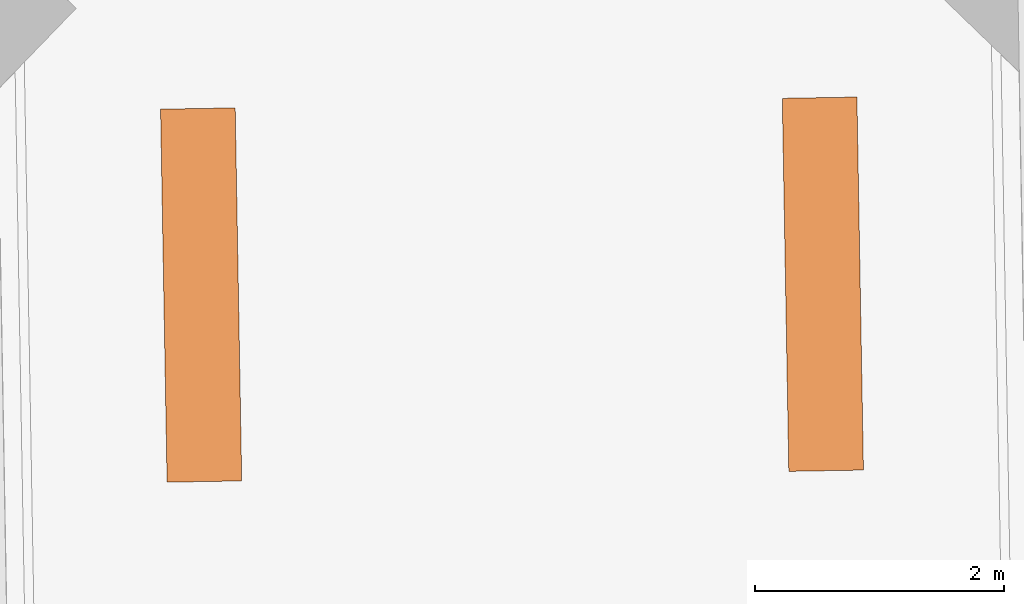
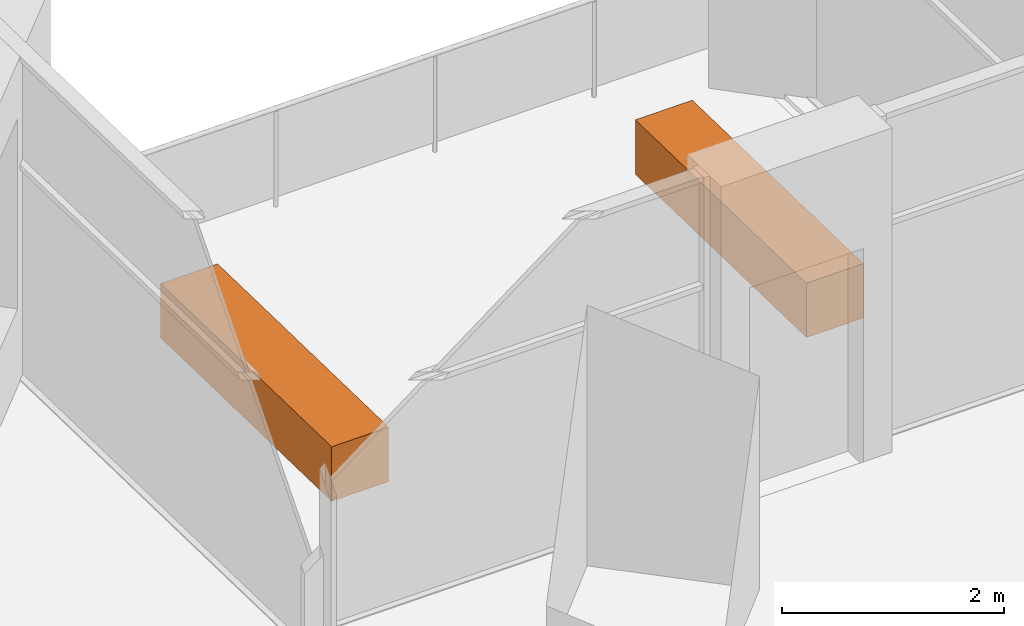
# One storey, part 13 of 13: 2 proxies.
"""IFC4 building model written with IfcOpenShell, lengths in metres."""

from ifc_helpers import new_model, si_unit, direction, frame, origin, origin_2d, place, context, subcontext, project, spatial, rectangle, extrude, element, save


model = new_model("IFC4")

# Units and contexts
model_context = context("Model", 3, precision=1e-05, world=origin(), true_north=direction((0.0, 1.0)))
body_context = subcontext(model_context, "Body", "Model", "MODEL_VIEW")
ifc_project = project(units=[si_unit("LENGTHUNIT", "METRE"), si_unit("AREAUNIT", "SQUARE_METRE"), si_unit("VOLUMEUNIT", "CUBIC_METRE"), si_unit("PLANEANGLEUNIT", "RADIAN"), si_unit("MASSUNIT", "GRAM", prefix="KILO")], contexts=[model_context])

# Site, building, storey
site_placement = place(None, origin())
site = spatial("IfcSite", under=ifc_project, at=site_placement, CompositionType="ELEMENT")
building_placement = place(site_placement, origin())
building = spatial("IfcBuilding", under=site, at=building_placement, Name="Dilmun Exchange Tower", CompositionType="ELEMENT")
storey_placement = place(building_placement, frame((0.0, 0.0, 209.300048828125)))
storey = spatial("IfcBuildingStorey", under=building, at=storey_placement, Name="L49", CompositionType="ELEMENT", Elevation=209.300048828125)

# Proxies
for number, where, z_axis, x_axis, name in (
    (1, (5.4716796875, 32.355712890625, 0.0), (0.0, 0.0, 1.0), (-0.017452406437, 0.999847695156, 0.0), "PLANTER Ghaf tree L49.1"),
    (2, (0.472412109375, 32.2685546875, 0.0), (0.0, 0.0, 1.0), (-0.017452406437, 0.999847695156, 0.0), "PLANTER Ghaf tree L49.2"),
):
    element("IfcBuildingElementProxy", number, at=place(storey_placement, frame(where, z_axis=z_axis, x_axis=x_axis)), inside=storey, Name=name, ObjectType="PLANTER", PredefinedType="USERDEFINED", context=body_context, shape_type="SweptSolid", body=[
        extrude(rectangle(XDim=3.0, YDim=0.60009765625, at=origin_2d()), origin(), (0.0, 0.0, 1.0), 0.60009765625),
    ])

save(model, "model.ifc")
